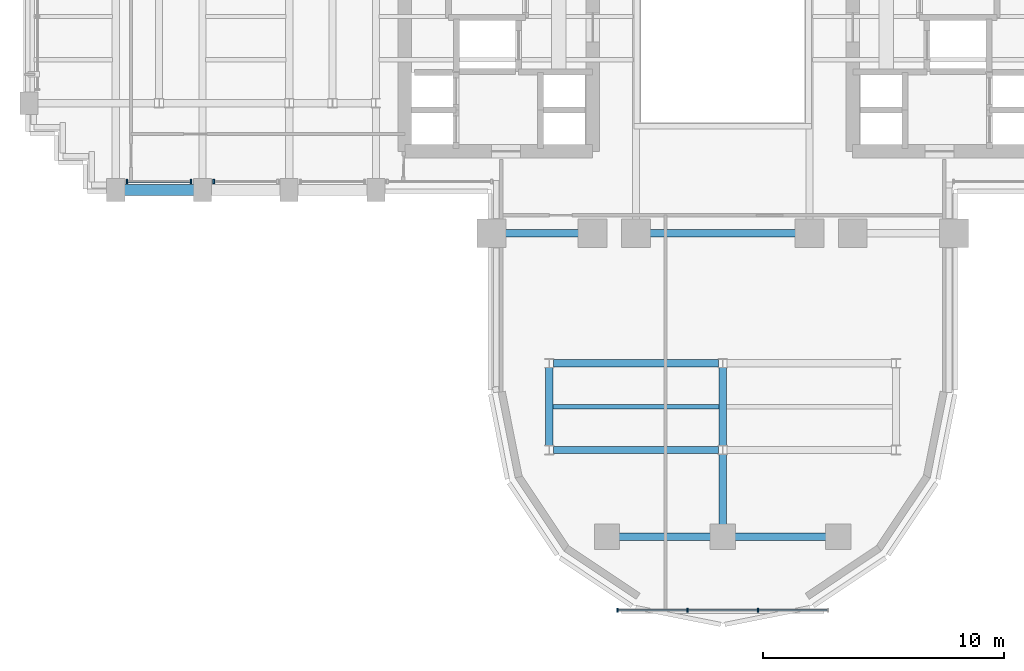
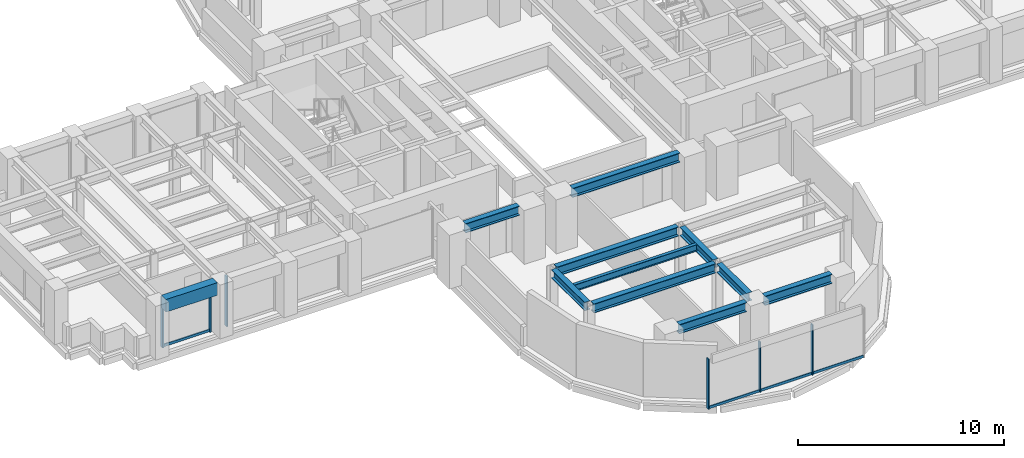
# One storey, part 3 of 16: 11 beams, 10 members, 3 elements without a shape of their own.
"""IFC4 building model written with IfcOpenShell, lengths in metres."""

from ifc_helpers import new_model, si_unit, direction, frame, origin, origin_2d, place, context, subcontext, project, spatial, rectangle, i_section, extrude, source, transform, mapped, material, material_profile, profile_set, type_object, element, aggregate, save


model = new_model("IFC4")

# Units and contexts
model_context = context("Model", 3, precision=1e-05, world=origin(), true_north=direction((0.0, 1.0)))
body_context = subcontext(model_context, "Body", "Model", "MODEL_VIEW")
ifc_project = project(units=[si_unit("LENGTHUNIT", "METRE"), si_unit("AREAUNIT", "SQUARE_METRE"), si_unit("VOLUMEUNIT", "CUBIC_METRE"), si_unit("PLANEANGLEUNIT", "RADIAN"), si_unit("MASSUNIT", "GRAM", prefix="KILO")], contexts=[model_context])

# Site, building, storey
site_placement = place(None, origin())
site = spatial("IfcSite", under=ifc_project, at=site_placement, CompositionType="ELEMENT")
building_placement = place(site_placement, origin())
building = spatial("IfcBuilding", under=site, at=building_placement, Name="Keilestroom Media Tower", CompositionType="ELEMENT")
storey_placement = place(building_placement, frame((0.0, 0.0, 37.39990234375)))
storey = spatial("IfcBuildingStorey", under=building, at=storey_placement, Name="L08", CompositionType="ELEMENT", Elevation=37.39990234375)

# Beams
ifc_material_1 = material(Name="Steel S355", Category="steel")
ifc_material_profile_1 = material_profile(ifc_material_1, i_section(OverallWidth=0.300048828125, OverallDepth=0.550048828125, WebThickness=0.012939453125, FlangeThickness=0.029052734375, at=origin_2d()), Name="HEB 550")
ifc_profile_set_1 = profile_set([ifc_material_profile_1], Name="Steel S355")
beam_type_1 = type_object("IfcBeamType", Name="Primary-Structural-Girder-HEB-550", PredefinedType="BEAM", material=ifc_profile_set_1)
shared_shape_1 = source(origin(), body_context, "Body", "SweptSolid", [
    extrude(i_section(OverallWidth=0.300048828125, OverallDepth=0.550048828125, WebThickness=0.012939453125, FlangeThickness=0.029052734375, at=origin_2d()), origin(), (0.0, 0.0, 1.0), 3.7900390625),
])
for number, where, z_axis, x_axis, name in (
    (1, (-4.294921875, -21.60009765625, 2.925048828125), (1.0, 0.0, 0.0), (0.0, 1.0, 0.0), "L08 Beam BG-5 BM-L08-EW-001"),
    (2, (0.5048828125, -21.60009765625, 2.925048828125), (1.0, 0.0, 0.0), (0.0, 1.0, 0.0), "L08 Beam BG-5 BM-L08-EW-002"),
):
    element("IfcBeam", number, at=place(storey_placement, frame(where, z_axis=z_axis, x_axis=x_axis)), inside=storey, type_object=beam_type_1, Name=name, PredefinedType="BEAM", context=body_context, shape_type="MappedRepresentation", body=[
        mapped(shared_shape_1, transform((0.0, 0.0, 0.0), x_axis=(1.0, 0.0, 0.0), y_axis=(0.0, 1.0, 0.0), z_axis=(0.0, 0.0, 1.0), scale=1.0)),
    ])
shared_shape_2 = source(origin(), body_context, "Body", "SweptSolid", [
    extrude(i_section(OverallWidth=0.300048828125, OverallDepth=0.550048828125, WebThickness=0.012939453125, FlangeThickness=0.029052734375, at=origin_2d()), origin(), (0.0, 0.0, 1.0), 6.836181640625),
])
for number, where, z_axis, x_axis, name in (
    (3, (-7.01806640625, -18.0, 2.925048828125), (1.0, 0.0, 0.0), (0.0, 1.0, 0.0), "L08 Beam BG-5 BM-L08-EW-003"),
    (4, (-7.01806640625, -14.39990234375, 2.925048828125), (1.0, 0.0, 0.0), (0.0, 1.0, 0.0), "L08 Beam BG-5 BM-L08-EW-005"),
):
    element("IfcBeam", number, at=place(storey_placement, frame(where, z_axis=z_axis, x_axis=x_axis)), inside=storey, type_object=beam_type_1, Name=name, PredefinedType="BEAM", context=body_context, shape_type="MappedRepresentation", body=[
        mapped(shared_shape_2, transform((0.0, 0.0, 0.0), x_axis=(1.0, 0.0, 0.0), y_axis=(0.0, 1.0, 0.0), z_axis=(0.0, 0.0, 1.0), scale=1.0)),
    ])
shared_shape_3 = source(origin(), body_context, "Body", "SweptSolid", [
    extrude(i_section(OverallWidth=0.300048828125, OverallDepth=0.550048828125, WebThickness=0.012939453125, FlangeThickness=0.029052734375, at=origin_2d()), origin(), (0.0, 0.0, 1.0), 3.0400390625),
])
beam_1_placement = place(storey_placement, frame((-9.02001953125, -9.0, 2.925048828125), z_axis=(1.0, 0.0, 0.0), x_axis=(0.0, 1.0, 0.0)))
element("IfcBeam", 5, at=beam_1_placement, inside=storey, type_object=beam_type_1, Name="L08 Beam BG-5 BM-L08-EW-007", PredefinedType="BEAM", context=body_context, shape_type="MappedRepresentation", body=[
    mapped(shared_shape_3, transform((0.0, 0.0, 0.0), x_axis=(1.0, 0.0, 0.0), y_axis=(0.0, 1.0, 0.0), z_axis=(0.0, 0.0, 1.0), scale=1.0)),
])
shared_shape_4 = source(origin(), body_context, "Body", "SweptSolid", [
    extrude(i_section(OverallWidth=0.300048828125, OverallDepth=0.550048828125, WebThickness=0.012939453125, FlangeThickness=0.029052734375, at=origin_2d()), origin(), (0.0, 0.0, 1.0), 6.0400390625),
])
beam_2_placement = place(storey_placement, frame((-3.02001953125, -9.0, 2.925048828125), z_axis=(1.0, 0.0, 0.0), x_axis=(0.0, 1.0, 0.0)))
element("IfcBeam", 6, at=beam_2_placement, inside=storey, type_object=beam_type_1, Name="L08 Beam BG-5 BM-L08-EW-009", PredefinedType="BEAM", context=body_context, shape_type="MappedRepresentation", body=[
    mapped(shared_shape_4, transform((0.0, 0.0, 0.0), x_axis=(1.0, 0.0, 0.0), y_axis=(0.0, 1.0, 0.0), z_axis=(0.0, 0.0, 1.0), scale=1.0)),
])
ifc_material_2 = material(Name="Precast concrete C40/50", Category="concrete")
ifc_material_profile_2 = material_profile(ifc_material_2, rectangle(XDim=0.449951171875, YDim=0.75, at=origin_2d()), Name="PC 450x750")
ifc_profile_set_2 = profile_set([ifc_material_profile_2], Name="Precast concrete C40/50")
beam_type_2 = type_object("IfcBeamType", Name="Perimeter-Spandrel-Beam-PC-450x750", PredefinedType="SPANDREL", material=ifc_profile_set_2)
shared_shape_5 = source(origin(), body_context, "Body", "SweptSolid", [
    extrude(rectangle(XDim=0.449951171875, YDim=0.75, at=origin_2d()), origin(), (0.0, 0.0, 1.0), 2.889892578125),
])
beam_3_placement = place(storey_placement, frame((-24.844970703125, -7.199951171875, 2.8251953125), z_axis=(1.0, 0.0, 0.0), x_axis=(0.0, 1.0, 0.0)))
element("IfcBeam", 7, at=beam_3_placement, inside=storey, type_object=beam_type_2, Name="L08 Beam SPB-1 BM-L08-EW-012", PredefinedType="SPANDREL", context=body_context, shape_type="MappedRepresentation", body=[
    mapped(shared_shape_5, transform((0.0, 0.0, 0.0), x_axis=(1.0, 0.0, 0.0), y_axis=(0.0, 1.0, 0.0), z_axis=(0.0, 0.0, 1.0), scale=1.0)),
])
ifc_material_profile_3 = material_profile(ifc_material_1, i_section(OverallWidth=0.300048828125, OverallDepth=0.5, WebThickness=0.012451171875, FlangeThickness=0.028076171875, at=origin_2d()), Name="HEB 500")
ifc_profile_set_3 = profile_set([ifc_material_profile_3], Name="Steel S355")
beam_type_3 = type_object("IfcBeamType", Name="Primary-Structural-Girder-HEB-500", PredefinedType="BEAM", material=ifc_profile_set_3)
shared_shape_6 = source(origin(), body_context, "Body", "SweptSolid", [
    extrude(i_section(OverallWidth=0.300048828125, OverallDepth=0.5, WebThickness=0.012451171875, FlangeThickness=0.028076171875, at=origin_2d()), origin(), (0.0, 0.0, 1.0), 3.23291015625),
])
for number, where, z_axis, x_axis, name in (
    (8, (-7.199951171875, -17.81640625, 2.9501953125), (0.0, 1.0, 0.0), (-1.0, 0.0, 0.0), "L08 Beam BG-6 BM-L08-NS-063"),
    (9, (0.0, -17.81640625, 2.9501953125), (0.0, 1.0, 0.0), (-1.0, 0.0, 0.0), "L08 Beam BG-6 BM-L08-NS-068"),
):
    element("IfcBeam", number, at=place(storey_placement, frame(where, z_axis=z_axis, x_axis=x_axis)), inside=storey, type_object=beam_type_3, Name=name, PredefinedType="BEAM", context=body_context, shape_type="MappedRepresentation", body=[
        mapped(shared_shape_6, transform((0.0, 0.0, 0.0), x_axis=(1.0, 0.0, 0.0), y_axis=(0.0, 1.0, 0.0), z_axis=(0.0, 0.0, 1.0), scale=1.0)),
    ])
shared_shape_7 = source(origin(), body_context, "Body", "SweptSolid", [
    extrude(i_section(OverallWidth=0.300048828125, OverallDepth=0.5, WebThickness=0.012451171875, FlangeThickness=0.028076171875, at=origin_2d()), origin(), (0.0, 0.0, 1.0), 2.911376953125),
])
beam_4_placement = place(storey_placement, frame((0.0, -21.094970703125, 2.9501953125), z_axis=(0.0, 1.0, 0.0), x_axis=(-1.0, 0.0, 0.0)))
element("IfcBeam", 10, at=beam_4_placement, inside=storey, type_object=beam_type_3, Name="L08 Beam BG-6 BM-L08-NS-067", PredefinedType="BEAM", context=body_context, shape_type="MappedRepresentation", body=[
    mapped(shared_shape_7, transform((0.0, 0.0, 0.0), x_axis=(1.0, 0.0, 0.0), y_axis=(0.0, 1.0, 0.0), z_axis=(0.0, 0.0, 1.0), scale=1.0)),
])
ifc_material_profile_4 = material_profile(ifc_material_1, i_section(OverallWidth=0.179931640625, OverallDepth=0.39990234375, WebThickness=0.008544921875, FlangeThickness=0.013427734375, at=origin_2d()), Name="IPE 400")
ifc_profile_set_4 = profile_set([ifc_material_profile_4], Name="Steel S355")
beam_type_4 = type_object("IfcBeamType", Name="Secondary-Floor-Joist-IPE-400", PredefinedType="JOIST", material=ifc_profile_set_4)
shared_shape_8 = source(origin(), body_context, "Body", "SweptSolid", [
    extrude(i_section(OverallWidth=0.179931640625, OverallDepth=0.39990234375, WebThickness=0.008544921875, FlangeThickness=0.013427734375, at=origin_2d()), origin(), (0.0, 0.0, 1.0), 6.940185546875),
])
beam_5_placement = place(storey_placement, frame((-7.070068359375, -16.199951171875, 3.0), z_axis=(1.0, 0.0, 0.0), x_axis=(0.0, 1.0, 0.0)))
element("IfcBeam", 11, at=beam_5_placement, inside=storey, type_object=beam_type_4, Name="L08 Beam BJ-4 JST-L08-087", PredefinedType="JOIST", context=body_context, shape_type="MappedRepresentation", body=[
    mapped(shared_shape_8, transform((0.0, 0.0, 0.0), x_axis=(1.0, 0.0, 0.0), y_axis=(0.0, 1.0, 0.0), z_axis=(0.0, 0.0, 1.0), scale=1.0)),
])

# Curtain wall, members
ifc_material_3 = material(Name="Anodised Aluminium Alloy", Category="aluminium")
curtain_wall_type_1 = type_object("IfcCurtainWallType", Name="Unitised-Curtain-Wall-CW-1", PredefinedType="NOTDEFINED", material=ifc_material_3)
curtain_wall_1_placement = place(storey_placement, origin())
curtain_wall_1 = element("IfcCurtainWall", 12, at=curtain_wall_1_placement, inside=storey, type_object=curtain_wall_type_1, Name="L08 Curtain Wall CW-1 CW-L08-SW-1", PredefinedType="NOTDEFINED")
ifc_material_profile_5 = material_profile(ifc_material_3, rectangle(XDim=0.070068359375, YDim=0.199951171875, at=origin_2d()), Name="ALU MULLION 70x200")
ifc_profile_set_5 = profile_set([ifc_material_profile_5], Name="Anodised Aluminium Alloy")
member_type_1 = type_object("IfcMemberType", Name="Curtain-Wall-Mullion-CW-1", PredefinedType="MULLION", material=ifc_profile_set_5)
shared_shape_9 = source(origin(), body_context, "Body", "SweptSolid", [
    extrude(rectangle(XDim=0.070068359375, YDim=0.199951171875, at=origin_2d()), origin(), (0.0, 0.0, 1.0), 2.97998046875),
])
member_1_placement = place(storey_placement, frame((-24.72998046875, -6.85009765625, 0.0), z_axis=(0.0, 0.0, 1.0), x_axis=(1.0, 0.0, 0.0)))
member_1 = element("IfcMember", 13, at=member_1_placement, type_object=member_type_1, Name="CW-1 Mullion 00", PredefinedType="MULLION", context=body_context, shape_type="MappedRepresentation", body=[
    mapped(shared_shape_9, transform((0.0, 0.0, 0.0), x_axis=(1.0, 0.0, 0.0), y_axis=(0.0, 1.0, 0.0), z_axis=(0.0, 0.0, 1.0), scale=1.0)),
])
member_2_placement = place(storey_placement, frame((-22.070068359375, -6.85009765625, 0.0), z_axis=(0.0, 0.0, 1.0), x_axis=(1.0, 0.0, 0.0)))
member_2 = element("IfcMember", 14, at=member_2_placement, type_object=member_type_1, Name="CW-1 Mullion 01", PredefinedType="MULLION", context=body_context, shape_type="MappedRepresentation", body=[
    mapped(shared_shape_9, transform((0.0, 0.0, 0.0), x_axis=(1.0, 0.0, 0.0), y_axis=(0.0, 1.0, 0.0), z_axis=(0.0, 0.0, 1.0), scale=1.0)),
])

# Curtain wall, member
curtain_wall_2_placement = place(storey_placement, origin())
curtain_wall_2 = element("IfcCurtainWall", 15, at=curtain_wall_2_placement, inside=storey, type_object=curtain_wall_type_1, Name="L08 Curtain Wall CW-1 CW-L08-SW-2", PredefinedType="NOTDEFINED")
member_3_placement = place(storey_placement, frame((-21.1298828125, -6.85009765625, 0.0), z_axis=(0.0, 0.0, 1.0), x_axis=(1.0, 0.0, 0.0)))
member_3 = element("IfcMember", 16, at=member_3_placement, type_object=member_type_1, Name="CW-1 Mullion 00", PredefinedType="MULLION", context=body_context, shape_type="MappedRepresentation", body=[
    mapped(shared_shape_9, transform((0.0, 0.0, 0.0), x_axis=(1.0, 0.0, 0.0), y_axis=(0.0, 1.0, 0.0), z_axis=(0.0, 0.0, 1.0), scale=1.0)),
])
aggregate(curtain_wall_2, [member_3])

# Member
ifc_material_profile_6 = material_profile(ifc_material_3, rectangle(XDim=0.06494140625, YDim=0.14990234375, at=origin_2d()), Name="ALU TRANSOM 65x150")
ifc_profile_set_6 = profile_set([ifc_material_profile_6], Name="Anodised Aluminium Alloy")
member_type_2 = type_object("IfcMemberType", Name="Curtain-Wall-Transom-CW-1", PredefinedType="USERDEFINED", material=ifc_profile_set_6)
shared_shape_10 = source(origin(), body_context, "Body", "SweptSolid", [
    extrude(rectangle(XDim=0.06494140625, YDim=0.14990234375, at=origin_2d()), origin(), (0.0, 0.0, 1.0), 2.593994140625),
])
member_4_placement = place(storey_placement, frame((-24.697021484375, -6.85009765625, 0.0751953125), z_axis=(1.0, 0.0, 0.0), x_axis=(0.0, 1.0, 0.0)))
member_4 = element("IfcMember", 17, at=member_4_placement, type_object=member_type_2, Name="CW-1 Transom 00.1", ObjectType="TRANSOM", PredefinedType="USERDEFINED", context=body_context, shape_type="MappedRepresentation", body=[
    mapped(shared_shape_10, transform((0.0, 0.0, 0.0), x_axis=(1.0, 0.0, 0.0), y_axis=(0.0, 1.0, 0.0), z_axis=(0.0, 0.0, 1.0), scale=1.0)),
])

aggregate(curtain_wall_1, [member_1, member_2, member_4])

# Curtain wall, members
curtain_wall_type_2 = type_object("IfcCurtainWallType", Name="Unitised-Curtain-Wall-CW-6", PredefinedType="NOTDEFINED", material=ifc_material_3)
curtain_wall_3_placement = place(storey_placement, origin())
curtain_wall_3 = element("IfcCurtainWall", 18, at=curtain_wall_3_placement, inside=storey, type_object=curtain_wall_type_2, Name="L08 Curtain Wall CW-6 CW-L08-LS-1", PredefinedType="NOTDEFINED")
ifc_material_profile_7 = material_profile(ifc_material_3, rectangle(XDim=0.06494140625, YDim=0.179931640625, at=origin_2d()), Name="ALU MULLION 65x180")
ifc_profile_set_7 = profile_set([ifc_material_profile_7], Name="Anodised Aluminium Alloy")
member_type_3 = type_object("IfcMemberType", Name="Curtain-Wall-Mullion-CW-6", PredefinedType="MULLION", material=ifc_profile_set_7)
shared_shape_11 = source(origin(), body_context, "Body", "SweptSolid", [
    extrude(rectangle(XDim=0.06494140625, YDim=0.179931640625, at=origin_2d()), origin(), (0.0, 0.0, 1.0), 2.97998046875),
])
member_5_placement = place(storey_placement, frame((-4.367431640625, -24.64990234375, 0.0), z_axis=(0.0, 0.0, 1.0), x_axis=(1.0, 0.0, 0.0)))
member_5 = element("IfcMember", 19, at=member_5_placement, type_object=member_type_3, Name="CW-6 Mullion 00", PredefinedType="MULLION", context=body_context, shape_type="MappedRepresentation", body=[
    mapped(shared_shape_11, transform((0.0, 0.0, 0.0), x_axis=(1.0, 0.0, 0.0), y_axis=(0.0, 1.0, 0.0), z_axis=(0.0, 0.0, 1.0), scale=1.0)),
])
member_6_placement = place(storey_placement, frame((-1.466796875, -24.64990234375, 0.0), z_axis=(0.0, 0.0, 1.0), x_axis=(1.0, 0.0, 0.0)))
member_6 = element("IfcMember", 20, at=member_6_placement, type_object=member_type_3, Name="CW-6 Mullion 01", PredefinedType="MULLION", context=body_context, shape_type="MappedRepresentation", body=[
    mapped(shared_shape_11, transform((0.0, 0.0, 0.0), x_axis=(1.0, 0.0, 0.0), y_axis=(0.0, 1.0, 0.0), z_axis=(0.0, 0.0, 1.0), scale=1.0)),
])
member_7_placement = place(storey_placement, frame((1.466796875, -24.64990234375, 0.0), z_axis=(0.0, 0.0, 1.0), x_axis=(1.0, 0.0, 0.0)))
member_7 = element("IfcMember", 21, at=member_7_placement, type_object=member_type_3, Name="CW-6 Mullion 02", PredefinedType="MULLION", context=body_context, shape_type="MappedRepresentation", body=[
    mapped(shared_shape_11, transform((0.0, 0.0, 0.0), x_axis=(1.0, 0.0, 0.0), y_axis=(0.0, 1.0, 0.0), z_axis=(0.0, 0.0, 1.0), scale=1.0)),
])
ifc_material_profile_8 = material_profile(ifc_material_3, rectangle(XDim=0.06494140625, YDim=0.14990234375, at=origin_2d()), Name="ALU TRANSOM 65x150")
ifc_profile_set_8 = profile_set([ifc_material_profile_8], Name="Anodised Aluminium Alloy")
member_type_4 = type_object("IfcMemberType", Name="Curtain-Wall-Transom-CW-6", PredefinedType="USERDEFINED", material=ifc_profile_set_8)
shared_shape_12 = source(origin(), body_context, "Body", "SweptSolid", [
    extrude(rectangle(XDim=0.06494140625, YDim=0.14990234375, at=origin_2d()), origin(), (0.0, 0.0, 1.0), 2.839599609375),
])
member_8_placement = place(storey_placement, frame((-4.3369140625, -24.64990234375, 0.0751953125), z_axis=(1.0, 0.0, 0.0), x_axis=(0.0, 1.0, 0.0)))
member_8 = element("IfcMember", 22, at=member_8_placement, type_object=member_type_4, Name="CW-6 Transom 00.1", ObjectType="TRANSOM", PredefinedType="USERDEFINED", context=body_context, shape_type="MappedRepresentation", body=[
    mapped(shared_shape_12, transform((0.0, 0.0, 0.0), x_axis=(1.0, 0.0, 0.0), y_axis=(0.0, 1.0, 0.0), z_axis=(0.0, 0.0, 1.0), scale=1.0)),
])
member_9_placement = place(storey_placement, frame((1.497314453125, -24.64990234375, 0.0751953125), z_axis=(1.0, 0.0, 0.0), x_axis=(0.0, 1.0, 0.0)))
member_9 = element("IfcMember", 23, at=member_9_placement, type_object=member_type_4, Name="CW-6 Transom 02.1", ObjectType="TRANSOM", PredefinedType="USERDEFINED", context=body_context, shape_type="MappedRepresentation", body=[
    mapped(shared_shape_12, transform((0.0, 0.0, 0.0), x_axis=(1.0, 0.0, 0.0), y_axis=(0.0, 1.0, 0.0), z_axis=(0.0, 0.0, 1.0), scale=1.0)),
])
shared_shape_13 = source(origin(), body_context, "Body", "SweptSolid", [
    extrude(rectangle(XDim=0.06494140625, YDim=0.14990234375, at=origin_2d()), origin(), (0.0, 0.0, 1.0), 2.87255859375),
])
member_10_placement = place(storey_placement, frame((-1.436279296875, -24.64990234375, 0.0751953125), z_axis=(1.0, 0.0, 0.0), x_axis=(0.0, 1.0, 0.0)))
member_10 = element("IfcMember", 24, at=member_10_placement, type_object=member_type_4, Name="CW-6 Transom 01.1", ObjectType="TRANSOM", PredefinedType="USERDEFINED", context=body_context, shape_type="MappedRepresentation", body=[
    mapped(shared_shape_13, transform((0.0, 0.0, 0.0), x_axis=(1.0, 0.0, 0.0), y_axis=(0.0, 1.0, 0.0), z_axis=(0.0, 0.0, 1.0), scale=1.0)),
])
aggregate(curtain_wall_3, [member_5, member_6, member_7, member_8, member_10, member_9])

save(model, "model.ifc")
